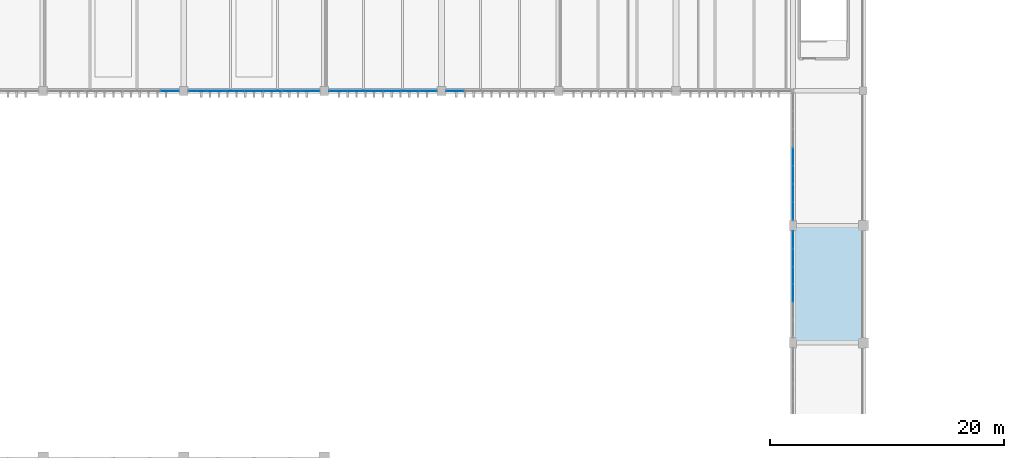
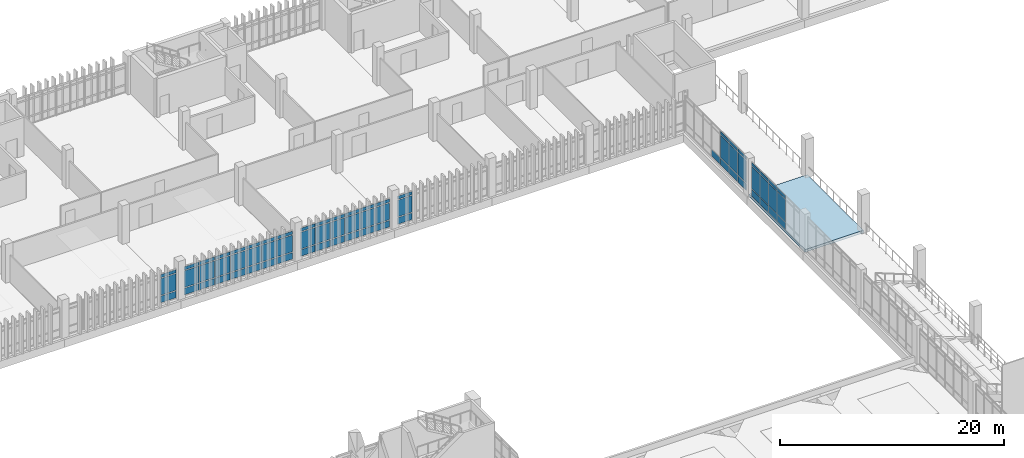
# One storey, part 132 of 161: 67 plates, 1 slab, 6 elements without a shape of their own.
"""IFC4 building model written with IfcOpenShell, lengths in metres."""

from ifc_helpers import new_model, si_unit, direction, frame, origin, origin_2d, place, context, subcontext, project, spatial, polyline, rectangle, outline, extrude, material, layer, layer_set, type_object, element, aggregate, save


model = new_model("IFC4")

# Units and contexts
model_context = context("Model", 3, precision=1e-05, world=origin(), true_north=direction((0.0, 1.0)))
body_context = subcontext(model_context, "Body", "Model", "MODEL_VIEW")
ifc_project = project(units=[si_unit("LENGTHUNIT", "METRE"), si_unit("AREAUNIT", "SQUARE_METRE"), si_unit("VOLUMEUNIT", "CUBIC_METRE"), si_unit("PLANEANGLEUNIT", "RADIAN"), si_unit("MASSUNIT", "GRAM", prefix="KILO")], contexts=[model_context])

# Site, building, storey
site_placement = place(None, origin())
site = spatial("IfcSite", under=ifc_project, at=site_placement, CompositionType="ELEMENT")
building_placement = place(site_placement, origin())
building = spatial("IfcBuilding", under=site, at=building_placement, Name="Mersad Railyard Sports Hall", CompositionType="ELEMENT")
storey_placement = place(building_placement, frame((0.0, 0.0, 4.800048828125)))
storey = spatial("IfcBuildingStorey", under=building, at=storey_placement, Name="L01", CompositionType="ELEMENT", Elevation=4.800048828125)

# Curtain wall, plates
ifc_material_1 = material(Name="Aluminium 6063-T6", Category="aluminium")
ifc_layer_1 = layer(ifc_material_1, 0.159912109375)
ifc_layer_set_1 = layer_set([ifc_layer_1], Name="Aluminium 6063-T6")
curtain_wall_type_1 = type_object("IfcCurtainWallType", Name="ARC-CW-CW14", PredefinedType="USERDEFINED", material=ifc_layer_set_1)
curtain_wall_1_placement = place(storey_placement, origin())
curtain_wall_1 = element("IfcCurtainWall", 1, at=curtain_wall_1_placement, inside=storey, type_object=curtain_wall_type_1, Name="Curtain wall CW14-0076", ObjectType="CURTAIN WALL", PredefinedType="USERDEFINED")
ifc_material_2 = material(Name="Solar-control glass", Category="glass")
ifc_layer_2 = layer(ifc_material_2, 0.028076171875)
ifc_layer_set_2 = layer_set([ifc_layer_2], Name="Solar-control glass")
plate_type = type_object("IfcPlateType", Name="ARC-CW-PNL01", PredefinedType="CURTAIN_PANEL", material=ifc_layer_set_2)
plate_1_placement = place(storey_placement, frame((131.0, 67.7451171875, 0.0849609375), z_axis=(0.0, 0.0, 1.0), x_axis=(0.0, 1.0, 0.0)))
plate_1 = element("IfcPlate", 2, at=plate_1_placement, type_object=plate_type, Name="CW14 Glazed panel 3-1", PredefinedType="CURTAIN_PANEL", context=body_context, shape_type="SweptSolid", body=[
    extrude(rectangle(XDim=1.466064453125, YDim=0.028076171875, at=origin_2d()), origin(), (0.0, 0.0, 1.0), 0.719970703125),
])
plate_2_placement = place(storey_placement, frame((131.0, 67.7451171875, 0.89501953125), z_axis=(0.0, 0.0, 1.0), x_axis=(0.0, 1.0, 0.0)))
plate_2 = element("IfcPlate", 3, at=plate_2_placement, type_object=plate_type, Name="CW14 Glazed panel 3-2", PredefinedType="CURTAIN_PANEL", context=body_context, shape_type="SweptSolid", body=[
    extrude(rectangle(XDim=1.466064453125, YDim=0.028076171875, at=origin_2d()), origin(), (0.0, 0.0, 1.0), 2.409912109375),
])
plate_3_placement = place(storey_placement, frame((131.0, 67.7451171875, 3.39501953125), z_axis=(0.0, 0.0, 1.0), x_axis=(0.0, 1.0, 0.0)))
plate_3 = element("IfcPlate", 4, at=plate_3_placement, type_object=plate_type, Name="CW14 Glazed panel 3-3", PredefinedType="CURTAIN_PANEL", context=body_context, shape_type="SweptSolid", body=[
    extrude(rectangle(XDim=1.466064453125, YDim=0.028076171875, at=origin_2d()), origin(), (0.0, 0.0, 1.0), 0.35009765625),
])
plate_4_placement = place(storey_placement, frame((131.0, 69.2548828125, 0.0849609375), z_axis=(0.0, 0.0, 1.0), x_axis=(0.0, 1.0, 0.0)))
plate_4 = element("IfcPlate", 5, at=plate_4_placement, type_object=plate_type, Name="CW14 Glazed panel 4-1", PredefinedType="CURTAIN_PANEL", context=body_context, shape_type="SweptSolid", body=[
    extrude(rectangle(XDim=1.466064453125, YDim=0.028076171875, at=origin_2d()), origin(), (0.0, 0.0, 1.0), 0.719970703125),
])
plate_5_placement = place(storey_placement, frame((131.0, 69.2548828125, 0.89501953125), z_axis=(0.0, 0.0, 1.0), x_axis=(0.0, 1.0, 0.0)))
plate_5 = element("IfcPlate", 6, at=plate_5_placement, type_object=plate_type, Name="CW14 Glazed panel 4-2", PredefinedType="CURTAIN_PANEL", context=body_context, shape_type="SweptSolid", body=[
    extrude(rectangle(XDim=1.466064453125, YDim=0.028076171875, at=origin_2d()), origin(), (0.0, 0.0, 1.0), 2.409912109375),
])
plate_6_placement = place(storey_placement, frame((131.0, 69.2548828125, 3.39501953125), z_axis=(0.0, 0.0, 1.0), x_axis=(0.0, 1.0, 0.0)))
plate_6 = element("IfcPlate", 7, at=plate_6_placement, type_object=plate_type, Name="CW14 Glazed panel 4-3", PredefinedType="CURTAIN_PANEL", context=body_context, shape_type="SweptSolid", body=[
    extrude(rectangle(XDim=1.466064453125, YDim=0.028076171875, at=origin_2d()), origin(), (0.0, 0.0, 1.0), 0.35009765625),
])
plate_7_placement = place(storey_placement, frame((131.0, 70.764892578125, 0.0849609375), z_axis=(0.0, 0.0, 1.0), x_axis=(0.0, 1.0, 0.0)))
plate_7 = element("IfcPlate", 8, at=plate_7_placement, type_object=plate_type, Name="CW14 Glazed panel 5-1", PredefinedType="CURTAIN_PANEL", context=body_context, shape_type="SweptSolid", body=[
    extrude(rectangle(XDim=1.466064453125, YDim=0.028076171875, at=origin_2d()), origin(), (0.0, 0.0, 1.0), 0.719970703125),
])
plate_8_placement = place(storey_placement, frame((131.0, 70.764892578125, 0.89501953125), z_axis=(0.0, 0.0, 1.0), x_axis=(0.0, 1.0, 0.0)))
plate_8 = element("IfcPlate", 9, at=plate_8_placement, type_object=plate_type, Name="CW14 Glazed panel 5-2", PredefinedType="CURTAIN_PANEL", context=body_context, shape_type="SweptSolid", body=[
    extrude(rectangle(XDim=1.466064453125, YDim=0.028076171875, at=origin_2d()), origin(), (0.0, 0.0, 1.0), 2.409912109375),
])
plate_9_placement = place(storey_placement, frame((131.0, 70.764892578125, 3.39501953125), z_axis=(0.0, 0.0, 1.0), x_axis=(0.0, 1.0, 0.0)))
plate_9 = element("IfcPlate", 10, at=plate_9_placement, type_object=plate_type, Name="CW14 Glazed panel 5-3", PredefinedType="CURTAIN_PANEL", context=body_context, shape_type="SweptSolid", body=[
    extrude(rectangle(XDim=1.466064453125, YDim=0.028076171875, at=origin_2d()), origin(), (0.0, 0.0, 1.0), 0.35009765625),
])
plate_10_placement = place(storey_placement, frame((131.0, 72.27490234375, 0.0849609375), z_axis=(0.0, 0.0, 1.0), x_axis=(0.0, 1.0, 0.0)))
plate_10 = element("IfcPlate", 11, at=plate_10_placement, type_object=plate_type, Name="CW14 Glazed panel 6-1", PredefinedType="CURTAIN_PANEL", context=body_context, shape_type="SweptSolid", body=[
    extrude(rectangle(XDim=1.466064453125, YDim=0.028076171875, at=origin_2d()), origin(), (0.0, 0.0, 1.0), 0.719970703125),
])
plate_11_placement = place(storey_placement, frame((131.0, 72.27490234375, 0.89501953125), z_axis=(0.0, 0.0, 1.0), x_axis=(0.0, 1.0, 0.0)))
plate_11 = element("IfcPlate", 12, at=plate_11_placement, type_object=plate_type, Name="CW14 Glazed panel 6-2", PredefinedType="CURTAIN_PANEL", context=body_context, shape_type="SweptSolid", body=[
    extrude(rectangle(XDim=1.466064453125, YDim=0.028076171875, at=origin_2d()), origin(), (0.0, 0.0, 1.0), 2.409912109375),
])
plate_12_placement = place(storey_placement, frame((131.0, 72.27490234375, 3.39501953125), z_axis=(0.0, 0.0, 1.0), x_axis=(0.0, 1.0, 0.0)))
plate_12 = element("IfcPlate", 13, at=plate_12_placement, type_object=plate_type, Name="CW14 Glazed panel 6-3", PredefinedType="CURTAIN_PANEL", context=body_context, shape_type="SweptSolid", body=[
    extrude(rectangle(XDim=1.466064453125, YDim=0.028076171875, at=origin_2d()), origin(), (0.0, 0.0, 1.0), 0.35009765625),
])
aggregate(curtain_wall_1, [plate_1, plate_2, plate_3, plate_4, plate_5, plate_6, plate_7, plate_8, plate_9, plate_10, plate_11, plate_12])

ifc_layer_3 = layer(ifc_material_1, 0.159912109375)
ifc_layer_set_3 = layer_set([ifc_layer_3], Name="Aluminium 6063-T6")
curtain_wall_type_2 = type_object("IfcCurtainWallType", Name="ARC-CW-CW27", PredefinedType="USERDEFINED", material=ifc_layer_set_3)
curtain_wall_2_placement = place(storey_placement, origin())
curtain_wall_2 = element("IfcCurtainWall", 14, at=curtain_wall_2_placement, inside=storey, type_object=curtain_wall_type_2, Name="Curtain wall CW27-0078", ObjectType="CURTAIN WALL", PredefinedType="USERDEFINED")
plate_13_placement = place(storey_placement, frame((131.0, 74.74560546875, 0.0849609375), z_axis=(0.0, 0.0, 1.0), x_axis=(0.0, 1.0, 0.0)))
plate_13 = element("IfcPlate", 15, at=plate_13_placement, type_object=plate_type, Name="CW27 Glazed panel 1-1", PredefinedType="CURTAIN_PANEL", context=body_context, shape_type="SweptSolid", body=[
    extrude(rectangle(XDim=1.50732421875, YDim=0.028076171875, at=origin_2d()), origin(), (0.0, 0.0, 1.0), 0.719970703125),
])
plate_14_placement = place(storey_placement, frame((131.0, 74.74560546875, 0.89501953125), z_axis=(0.0, 0.0, 1.0), x_axis=(0.0, 1.0, 0.0)))
plate_14 = element("IfcPlate", 16, at=plate_14_placement, type_object=plate_type, Name="CW27 Glazed panel 1-2", PredefinedType="CURTAIN_PANEL", context=body_context, shape_type="SweptSolid", body=[
    extrude(rectangle(XDim=1.50732421875, YDim=0.028076171875, at=origin_2d()), origin(), (0.0, 0.0, 1.0), 2.43994140625),
])
plate_15_placement = place(storey_placement, frame((131.0, 74.74560546875, 3.4248046875), z_axis=(0.0, 0.0, 1.0), x_axis=(0.0, 1.0, 0.0)))
plate_15 = element("IfcPlate", 17, at=plate_15_placement, type_object=plate_type, Name="CW27 Glazed panel 1-3", PredefinedType="CURTAIN_PANEL", context=body_context, shape_type="SweptSolid", body=[
    extrude(rectangle(XDim=1.50732421875, YDim=0.028076171875, at=origin_2d()), origin(), (0.0, 0.0, 1.0), 0.35009765625),
])
plate_16_placement = place(storey_placement, frame((131.0, 76.297119140625, 0.0849609375), z_axis=(0.0, 0.0, 1.0), x_axis=(0.0, 1.0, 0.0)))
plate_16 = element("IfcPlate", 18, at=plate_16_placement, type_object=plate_type, Name="CW27 Glazed panel 2-1", PredefinedType="CURTAIN_PANEL", context=body_context, shape_type="SweptSolid", body=[
    extrude(rectangle(XDim=1.50732421875, YDim=0.028076171875, at=origin_2d()), origin(), (0.0, 0.0, 1.0), 0.719970703125),
])
plate_17_placement = place(storey_placement, frame((131.0, 76.297119140625, 0.89501953125), z_axis=(0.0, 0.0, 1.0), x_axis=(0.0, 1.0, 0.0)))
plate_17 = element("IfcPlate", 19, at=plate_17_placement, type_object=plate_type, Name="CW27 Glazed panel 2-2", PredefinedType="CURTAIN_PANEL", context=body_context, shape_type="SweptSolid", body=[
    extrude(rectangle(XDim=1.50732421875, YDim=0.028076171875, at=origin_2d()), origin(), (0.0, 0.0, 1.0), 2.43994140625),
])
plate_18_placement = place(storey_placement, frame((131.0, 76.297119140625, 3.4248046875), z_axis=(0.0, 0.0, 1.0), x_axis=(0.0, 1.0, 0.0)))
plate_18 = element("IfcPlate", 20, at=plate_18_placement, type_object=plate_type, Name="CW27 Glazed panel 2-3", PredefinedType="CURTAIN_PANEL", context=body_context, shape_type="SweptSolid", body=[
    extrude(rectangle(XDim=1.50732421875, YDim=0.028076171875, at=origin_2d()), origin(), (0.0, 0.0, 1.0), 0.35009765625),
])
plate_19_placement = place(storey_placement, frame((131.0, 77.8486328125, 0.0849609375), z_axis=(0.0, 0.0, 1.0), x_axis=(0.0, 1.0, 0.0)))
plate_19 = element("IfcPlate", 21, at=plate_19_placement, type_object=plate_type, Name="CW27 Glazed panel 3-1", PredefinedType="CURTAIN_PANEL", context=body_context, shape_type="SweptSolid", body=[
    extrude(rectangle(XDim=1.50732421875, YDim=0.028076171875, at=origin_2d()), origin(), (0.0, 0.0, 1.0), 0.719970703125),
])
plate_20_placement = place(storey_placement, frame((131.0, 77.8486328125, 0.89501953125), z_axis=(0.0, 0.0, 1.0), x_axis=(0.0, 1.0, 0.0)))
plate_20 = element("IfcPlate", 22, at=plate_20_placement, type_object=plate_type, Name="CW27 Glazed panel 3-2", PredefinedType="CURTAIN_PANEL", context=body_context, shape_type="SweptSolid", body=[
    extrude(rectangle(XDim=1.50732421875, YDim=0.028076171875, at=origin_2d()), origin(), (0.0, 0.0, 1.0), 2.43994140625),
])
plate_21_placement = place(storey_placement, frame((131.0, 77.8486328125, 3.4248046875), z_axis=(0.0, 0.0, 1.0), x_axis=(0.0, 1.0, 0.0)))
plate_21 = element("IfcPlate", 23, at=plate_21_placement, type_object=plate_type, Name="CW27 Glazed panel 3-3", PredefinedType="CURTAIN_PANEL", context=body_context, shape_type="SweptSolid", body=[
    extrude(rectangle(XDim=1.50732421875, YDim=0.028076171875, at=origin_2d()), origin(), (0.0, 0.0, 1.0), 0.35009765625),
])
plate_22_placement = place(storey_placement, frame((131.0, 79.39990234375, 0.0849609375), z_axis=(0.0, 0.0, 1.0), x_axis=(0.0, 1.0, 0.0)))
plate_22 = element("IfcPlate", 24, at=plate_22_placement, type_object=plate_type, Name="CW27 Glazed panel 4-1", PredefinedType="CURTAIN_PANEL", context=body_context, shape_type="SweptSolid", body=[
    extrude(rectangle(XDim=1.50732421875, YDim=0.028076171875, at=origin_2d()), origin(), (0.0, 0.0, 1.0), 0.719970703125),
])
aggregate(curtain_wall_2, [plate_13, plate_14, plate_15, plate_16, plate_17, plate_18, plate_19, plate_20, plate_21, plate_22])

ifc_layer_4 = layer(ifc_material_1, 0.159912109375)
ifc_layer_set_4 = layer_set([ifc_layer_4], Name="Aluminium 6063-T6")
curtain_wall_type_3 = type_object("IfcCurtainWallType", Name="ARC-CW-CW37", PredefinedType="USERDEFINED", material=ifc_layer_set_4)
curtain_wall_3_placement = place(storey_placement, origin())
curtain_wall_3 = element("IfcCurtainWall", 25, at=curtain_wall_3_placement, inside=storey, type_object=curtain_wall_type_3, Name="Curtain wall CW37-0106", ObjectType="CURTAIN WALL", PredefinedType="USERDEFINED")
plate_23_placement = place(storey_placement, frame((77.80419921875, 85.0, 0.0849609375), z_axis=(0.0, 0.0, 1.0), x_axis=(-1.0, 0.0, 0.0)))
plate_23 = element("IfcPlate", 26, at=plate_23_placement, type_object=plate_type, Name="CW37 Glazed panel 1-1", PredefinedType="CURTAIN_PANEL", context=body_context, shape_type="SweptSolid", body=[
    extrude(rectangle(XDim=1.557373046875, YDim=0.028076171875, at=origin_2d()), origin(), (0.0, 0.0, 1.0), 0.719970703125),
])
plate_24_placement = place(storey_placement, frame((77.80419921875, 85.0, 0.89501953125), z_axis=(0.0, 0.0, 1.0), x_axis=(-1.0, 0.0, 0.0)))
plate_24 = element("IfcPlate", 27, at=plate_24_placement, type_object=plate_type, Name="CW37 Glazed panel 1-2", PredefinedType="CURTAIN_PANEL", context=body_context, shape_type="SweptSolid", body=[
    extrude(rectangle(XDim=1.557373046875, YDim=0.028076171875, at=origin_2d()), origin(), (0.0, 0.0, 1.0), 1.81005859375),
])
plate_25_placement = place(storey_placement, frame((77.80419921875, 85.0, 2.794921875), z_axis=(0.0, 0.0, 1.0), x_axis=(-1.0, 0.0, 0.0)))
plate_25 = element("IfcPlate", 28, at=plate_25_placement, type_object=plate_type, Name="CW37 Glazed panel 1-3", PredefinedType="CURTAIN_PANEL", context=body_context, shape_type="SweptSolid", body=[
    extrude(rectangle(XDim=1.557373046875, YDim=0.028076171875, at=origin_2d()), origin(), (0.0, 0.0, 1.0), 0.35009765625),
])
aggregate(curtain_wall_3, [plate_23, plate_24, plate_25])

curtain_wall_4_placement = place(storey_placement, origin())
curtain_wall_4 = element("IfcCurtainWall", 29, at=curtain_wall_4_placement, inside=storey, type_object=curtain_wall_type_3, Name="Curtain wall CW37-0107", ObjectType="CURTAIN WALL", PredefinedType="USERDEFINED")
plate_26_placement = place(storey_placement, frame((89.80419921875, 85.0, 0.0849609375), z_axis=(0.0, 0.0, 1.0), x_axis=(-1.0, 0.0, 0.0)))
plate_26 = element("IfcPlate", 30, at=plate_26_placement, type_object=plate_type, Name="CW37 Glazed panel 1-1", PredefinedType="CURTAIN_PANEL", context=body_context, shape_type="SweptSolid", body=[
    extrude(rectangle(XDim=1.557373046875, YDim=0.028076171875, at=origin_2d()), origin(), (0.0, 0.0, 1.0), 0.719970703125),
])
plate_27_placement = place(storey_placement, frame((89.80419921875, 85.0, 0.89501953125), z_axis=(0.0, 0.0, 1.0), x_axis=(-1.0, 0.0, 0.0)))
plate_27 = element("IfcPlate", 31, at=plate_27_placement, type_object=plate_type, Name="CW37 Glazed panel 1-2", PredefinedType="CURTAIN_PANEL", context=body_context, shape_type="SweptSolid", body=[
    extrude(rectangle(XDim=1.557373046875, YDim=0.028076171875, at=origin_2d()), origin(), (0.0, 0.0, 1.0), 1.81005859375),
])
plate_28_placement = place(storey_placement, frame((89.80419921875, 85.0, 2.794921875), z_axis=(0.0, 0.0, 1.0), x_axis=(-1.0, 0.0, 0.0)))
plate_28 = element("IfcPlate", 32, at=plate_28_placement, type_object=plate_type, Name="CW37 Glazed panel 1-3", PredefinedType="CURTAIN_PANEL", context=body_context, shape_type="SweptSolid", body=[
    extrude(rectangle(XDim=1.557373046875, YDim=0.028076171875, at=origin_2d()), origin(), (0.0, 0.0, 1.0), 0.35009765625),
])
plate_29_placement = place(storey_placement, frame((88.202880859375, 85.0, 0.0849609375), z_axis=(0.0, 0.0, 1.0), x_axis=(-1.0, 0.0, 0.0)))
plate_29 = element("IfcPlate", 33, at=plate_29_placement, type_object=plate_type, Name="CW37 Glazed panel 2-1", PredefinedType="CURTAIN_PANEL", context=body_context, shape_type="SweptSolid", body=[
    extrude(rectangle(XDim=1.557373046875, YDim=0.028076171875, at=origin_2d()), origin(), (0.0, 0.0, 1.0), 0.719970703125),
])
plate_30_placement = place(storey_placement, frame((88.202880859375, 85.0, 0.89501953125), z_axis=(0.0, 0.0, 1.0), x_axis=(-1.0, 0.0, 0.0)))
plate_30 = element("IfcPlate", 34, at=plate_30_placement, type_object=plate_type, Name="CW37 Glazed panel 2-2", PredefinedType="CURTAIN_PANEL", context=body_context, shape_type="SweptSolid", body=[
    extrude(rectangle(XDim=1.557373046875, YDim=0.028076171875, at=origin_2d()), origin(), (0.0, 0.0, 1.0), 1.81005859375),
])
plate_31_placement = place(storey_placement, frame((88.202880859375, 85.0, 2.794921875), z_axis=(0.0, 0.0, 1.0), x_axis=(-1.0, 0.0, 0.0)))
plate_31 = element("IfcPlate", 35, at=plate_31_placement, type_object=plate_type, Name="CW37 Glazed panel 2-3", PredefinedType="CURTAIN_PANEL", context=body_context, shape_type="SweptSolid", body=[
    extrude(rectangle(XDim=1.557373046875, YDim=0.028076171875, at=origin_2d()), origin(), (0.0, 0.0, 1.0), 0.35009765625),
])
plate_32_placement = place(storey_placement, frame((86.601318359375, 85.0, 0.0849609375), z_axis=(0.0, 0.0, 1.0), x_axis=(-1.0, 0.0, 0.0)))
plate_32 = element("IfcPlate", 36, at=plate_32_placement, type_object=plate_type, Name="CW37 Glazed panel 3-1", PredefinedType="CURTAIN_PANEL", context=body_context, shape_type="SweptSolid", body=[
    extrude(rectangle(XDim=1.557373046875, YDim=0.028076171875, at=origin_2d()), origin(), (0.0, 0.0, 1.0), 0.719970703125),
])
plate_33_placement = place(storey_placement, frame((86.601318359375, 85.0, 0.89501953125), z_axis=(0.0, 0.0, 1.0), x_axis=(-1.0, 0.0, 0.0)))
plate_33 = element("IfcPlate", 37, at=plate_33_placement, type_object=plate_type, Name="CW37 Glazed panel 3-2", PredefinedType="CURTAIN_PANEL", context=body_context, shape_type="SweptSolid", body=[
    extrude(rectangle(XDim=1.557373046875, YDim=0.028076171875, at=origin_2d()), origin(), (0.0, 0.0, 1.0), 1.81005859375),
])
plate_34_placement = place(storey_placement, frame((86.601318359375, 85.0, 2.794921875), z_axis=(0.0, 0.0, 1.0), x_axis=(-1.0, 0.0, 0.0)))
plate_34 = element("IfcPlate", 38, at=plate_34_placement, type_object=plate_type, Name="CW37 Glazed panel 3-3", PredefinedType="CURTAIN_PANEL", context=body_context, shape_type="SweptSolid", body=[
    extrude(rectangle(XDim=1.557373046875, YDim=0.028076171875, at=origin_2d()), origin(), (0.0, 0.0, 1.0), 0.35009765625),
])
plate_35_placement = place(storey_placement, frame((85.0, 85.0, 0.0849609375), z_axis=(0.0, 0.0, 1.0), x_axis=(-1.0, 0.0, 0.0)))
plate_35 = element("IfcPlate", 39, at=plate_35_placement, type_object=plate_type, Name="CW37 Glazed panel 4-1", PredefinedType="CURTAIN_PANEL", context=body_context, shape_type="SweptSolid", body=[
    extrude(rectangle(XDim=1.557373046875, YDim=0.028076171875, at=origin_2d()), origin(), (0.0, 0.0, 1.0), 0.719970703125),
])
plate_36_placement = place(storey_placement, frame((85.0, 85.0, 0.89501953125), z_axis=(0.0, 0.0, 1.0), x_axis=(-1.0, 0.0, 0.0)))
plate_36 = element("IfcPlate", 40, at=plate_36_placement, type_object=plate_type, Name="CW37 Glazed panel 4-2", PredefinedType="CURTAIN_PANEL", context=body_context, shape_type="SweptSolid", body=[
    extrude(rectangle(XDim=1.557373046875, YDim=0.028076171875, at=origin_2d()), origin(), (0.0, 0.0, 1.0), 1.81005859375),
])
plate_37_placement = place(storey_placement, frame((85.0, 85.0, 2.794921875), z_axis=(0.0, 0.0, 1.0), x_axis=(-1.0, 0.0, 0.0)))
plate_37 = element("IfcPlate", 41, at=plate_37_placement, type_object=plate_type, Name="CW37 Glazed panel 4-3", PredefinedType="CURTAIN_PANEL", context=body_context, shape_type="SweptSolid", body=[
    extrude(rectangle(XDim=1.557373046875, YDim=0.028076171875, at=origin_2d()), origin(), (0.0, 0.0, 1.0), 0.35009765625),
])
plate_38_placement = place(storey_placement, frame((83.398681640625, 85.0, 0.0849609375), z_axis=(0.0, 0.0, 1.0), x_axis=(-1.0, 0.0, 0.0)))
plate_38 = element("IfcPlate", 42, at=plate_38_placement, type_object=plate_type, Name="CW37 Glazed panel 5-1", PredefinedType="CURTAIN_PANEL", context=body_context, shape_type="SweptSolid", body=[
    extrude(rectangle(XDim=1.557373046875, YDim=0.028076171875, at=origin_2d()), origin(), (0.0, 0.0, 1.0), 0.719970703125),
])
plate_39_placement = place(storey_placement, frame((83.398681640625, 85.0, 0.89501953125), z_axis=(0.0, 0.0, 1.0), x_axis=(-1.0, 0.0, 0.0)))
plate_39 = element("IfcPlate", 43, at=plate_39_placement, type_object=plate_type, Name="CW37 Glazed panel 5-2", PredefinedType="CURTAIN_PANEL", context=body_context, shape_type="SweptSolid", body=[
    extrude(rectangle(XDim=1.557373046875, YDim=0.028076171875, at=origin_2d()), origin(), (0.0, 0.0, 1.0), 1.81005859375),
])
plate_40_placement = place(storey_placement, frame((83.398681640625, 85.0, 2.794921875), z_axis=(0.0, 0.0, 1.0), x_axis=(-1.0, 0.0, 0.0)))
plate_40 = element("IfcPlate", 44, at=plate_40_placement, type_object=plate_type, Name="CW37 Glazed panel 5-3", PredefinedType="CURTAIN_PANEL", context=body_context, shape_type="SweptSolid", body=[
    extrude(rectangle(XDim=1.557373046875, YDim=0.028076171875, at=origin_2d()), origin(), (0.0, 0.0, 1.0), 0.35009765625),
])
plate_41_placement = place(storey_placement, frame((81.797119140625, 85.0, 0.0849609375), z_axis=(0.0, 0.0, 1.0), x_axis=(-1.0, 0.0, 0.0)))
plate_41 = element("IfcPlate", 45, at=plate_41_placement, type_object=plate_type, Name="CW37 Glazed panel 6-1", PredefinedType="CURTAIN_PANEL", context=body_context, shape_type="SweptSolid", body=[
    extrude(rectangle(XDim=1.557373046875, YDim=0.028076171875, at=origin_2d()), origin(), (0.0, 0.0, 1.0), 0.719970703125),
])
plate_42_placement = place(storey_placement, frame((81.797119140625, 85.0, 0.89501953125), z_axis=(0.0, 0.0, 1.0), x_axis=(-1.0, 0.0, 0.0)))
plate_42 = element("IfcPlate", 46, at=plate_42_placement, type_object=plate_type, Name="CW37 Glazed panel 6-2", PredefinedType="CURTAIN_PANEL", context=body_context, shape_type="SweptSolid", body=[
    extrude(rectangle(XDim=1.557373046875, YDim=0.028076171875, at=origin_2d()), origin(), (0.0, 0.0, 1.0), 1.81005859375),
])
plate_43_placement = place(storey_placement, frame((81.797119140625, 85.0, 2.794921875), z_axis=(0.0, 0.0, 1.0), x_axis=(-1.0, 0.0, 0.0)))
plate_43 = element("IfcPlate", 47, at=plate_43_placement, type_object=plate_type, Name="CW37 Glazed panel 6-3", PredefinedType="CURTAIN_PANEL", context=body_context, shape_type="SweptSolid", body=[
    extrude(rectangle(XDim=1.557373046875, YDim=0.028076171875, at=origin_2d()), origin(), (0.0, 0.0, 1.0), 0.35009765625),
])
plate_44_placement = place(storey_placement, frame((80.19580078125, 85.0, 0.0849609375), z_axis=(0.0, 0.0, 1.0), x_axis=(-1.0, 0.0, 0.0)))
plate_44 = element("IfcPlate", 48, at=plate_44_placement, type_object=plate_type, Name="CW37 Glazed panel 7-1", PredefinedType="CURTAIN_PANEL", context=body_context, shape_type="SweptSolid", body=[
    extrude(rectangle(XDim=1.557373046875, YDim=0.028076171875, at=origin_2d()), origin(), (0.0, 0.0, 1.0), 0.719970703125),
])
plate_45_placement = place(storey_placement, frame((80.19580078125, 85.0, 0.89501953125), z_axis=(0.0, 0.0, 1.0), x_axis=(-1.0, 0.0, 0.0)))
plate_45 = element("IfcPlate", 49, at=plate_45_placement, type_object=plate_type, Name="CW37 Glazed panel 7-2", PredefinedType="CURTAIN_PANEL", context=body_context, shape_type="SweptSolid", body=[
    extrude(rectangle(XDim=1.557373046875, YDim=0.028076171875, at=origin_2d()), origin(), (0.0, 0.0, 1.0), 1.81005859375),
])
plate_46_placement = place(storey_placement, frame((80.19580078125, 85.0, 2.794921875), z_axis=(0.0, 0.0, 1.0), x_axis=(-1.0, 0.0, 0.0)))
plate_46 = element("IfcPlate", 50, at=plate_46_placement, type_object=plate_type, Name="CW37 Glazed panel 7-3", PredefinedType="CURTAIN_PANEL", context=body_context, shape_type="SweptSolid", body=[
    extrude(rectangle(XDim=1.557373046875, YDim=0.028076171875, at=origin_2d()), origin(), (0.0, 0.0, 1.0), 0.35009765625),
])
aggregate(curtain_wall_4, [plate_26, plate_27, plate_28, plate_29, plate_30, plate_31, plate_32, plate_33, plate_34, plate_35, plate_36, plate_37, plate_38, plate_39, plate_40, plate_41, plate_42, plate_43, plate_44, plate_45, plate_46])

ifc_layer_5 = layer(ifc_material_1, 0.159912109375)
ifc_layer_set_5 = layer_set([ifc_layer_5], Name="Aluminium 6063-T6")
curtain_wall_type_4 = type_object("IfcCurtainWallType", Name="ARC-CW-CW38", PredefinedType="USERDEFINED", material=ifc_layer_set_5)
curtain_wall_5_placement = place(storey_placement, origin())
curtain_wall_5 = element("IfcCurtainWall", 51, at=curtain_wall_5_placement, inside=storey, type_object=curtain_wall_type_4, Name="Curtain wall CW38-0108", ObjectType="CURTAIN WALL", PredefinedType="USERDEFINED")
plate_47_placement = place(storey_placement, frame((99.83740234375, 85.0, 0.0849609375), z_axis=(0.0, 0.0, 1.0), x_axis=(-1.0, 0.0, 0.0)))
plate_47 = element("IfcPlate", 52, at=plate_47_placement, type_object=plate_type, Name="CW38 Glazed panel 1-1", PredefinedType="CURTAIN_PANEL", context=body_context, shape_type="SweptSolid", body=[
    extrude(rectangle(XDim=1.490966796875, YDim=0.028076171875, at=origin_2d()), origin(), (0.0, 0.0, 1.0), 0.719970703125),
])
plate_48_placement = place(storey_placement, frame((99.83740234375, 85.0, 0.89501953125), z_axis=(0.0, 0.0, 1.0), x_axis=(-1.0, 0.0, 0.0)))
plate_48 = element("IfcPlate", 53, at=plate_48_placement, type_object=plate_type, Name="CW38 Glazed panel 1-2", PredefinedType="CURTAIN_PANEL", context=body_context, shape_type="SweptSolid", body=[
    extrude(rectangle(XDim=1.490966796875, YDim=0.028076171875, at=origin_2d()), origin(), (0.0, 0.0, 1.0), 1.81005859375),
])
plate_49_placement = place(storey_placement, frame((99.83740234375, 85.0, 2.794921875), z_axis=(0.0, 0.0, 1.0), x_axis=(-1.0, 0.0, 0.0)))
plate_49 = element("IfcPlate", 54, at=plate_49_placement, type_object=plate_type, Name="CW38 Glazed panel 1-3", PredefinedType="CURTAIN_PANEL", context=body_context, shape_type="SweptSolid", body=[
    extrude(rectangle(XDim=1.490966796875, YDim=0.028076171875, at=origin_2d()), origin(), (0.0, 0.0, 1.0), 0.35009765625),
])
plate_50_placement = place(storey_placement, frame((98.302490234375, 85.0, 0.0849609375), z_axis=(0.0, 0.0, 1.0), x_axis=(-1.0, 0.0, 0.0)))
plate_50 = element("IfcPlate", 55, at=plate_50_placement, type_object=plate_type, Name="CW38 Glazed panel 2-1", PredefinedType="CURTAIN_PANEL", context=body_context, shape_type="SweptSolid", body=[
    extrude(rectangle(XDim=1.490966796875, YDim=0.028076171875, at=origin_2d()), origin(), (0.0, 0.0, 1.0), 0.719970703125),
])
plate_51_placement = place(storey_placement, frame((98.302490234375, 85.0, 0.89501953125), z_axis=(0.0, 0.0, 1.0), x_axis=(-1.0, 0.0, 0.0)))
plate_51 = element("IfcPlate", 56, at=plate_51_placement, type_object=plate_type, Name="CW38 Glazed panel 2-2", PredefinedType="CURTAIN_PANEL", context=body_context, shape_type="SweptSolid", body=[
    extrude(rectangle(XDim=1.490966796875, YDim=0.028076171875, at=origin_2d()), origin(), (0.0, 0.0, 1.0), 1.81005859375),
])
plate_52_placement = place(storey_placement, frame((98.302490234375, 85.0, 2.794921875), z_axis=(0.0, 0.0, 1.0), x_axis=(-1.0, 0.0, 0.0)))
plate_52 = element("IfcPlate", 57, at=plate_52_placement, type_object=plate_type, Name="CW38 Glazed panel 2-3", PredefinedType="CURTAIN_PANEL", context=body_context, shape_type="SweptSolid", body=[
    extrude(rectangle(XDim=1.490966796875, YDim=0.028076171875, at=origin_2d()), origin(), (0.0, 0.0, 1.0), 0.35009765625),
])
plate_53_placement = place(storey_placement, frame((96.767578125, 85.0, 0.0849609375), z_axis=(0.0, 0.0, 1.0), x_axis=(-1.0, 0.0, 0.0)))
plate_53 = element("IfcPlate", 58, at=plate_53_placement, type_object=plate_type, Name="CW38 Glazed panel 3-1", PredefinedType="CURTAIN_PANEL", context=body_context, shape_type="SweptSolid", body=[
    extrude(rectangle(XDim=1.490966796875, YDim=0.028076171875, at=origin_2d()), origin(), (0.0, 0.0, 1.0), 0.719970703125),
])
plate_54_placement = place(storey_placement, frame((96.767578125, 85.0, 0.89501953125), z_axis=(0.0, 0.0, 1.0), x_axis=(-1.0, 0.0, 0.0)))
plate_54 = element("IfcPlate", 59, at=plate_54_placement, type_object=plate_type, Name="CW38 Glazed panel 3-2", PredefinedType="CURTAIN_PANEL", context=body_context, shape_type="SweptSolid", body=[
    extrude(rectangle(XDim=1.490966796875, YDim=0.028076171875, at=origin_2d()), origin(), (0.0, 0.0, 1.0), 1.81005859375),
])
plate_55_placement = place(storey_placement, frame((96.767578125, 85.0, 2.794921875), z_axis=(0.0, 0.0, 1.0), x_axis=(-1.0, 0.0, 0.0)))
plate_55 = element("IfcPlate", 60, at=plate_55_placement, type_object=plate_type, Name="CW38 Glazed panel 3-3", PredefinedType="CURTAIN_PANEL", context=body_context, shape_type="SweptSolid", body=[
    extrude(rectangle(XDim=1.490966796875, YDim=0.028076171875, at=origin_2d()), origin(), (0.0, 0.0, 1.0), 0.35009765625),
])
plate_56_placement = place(storey_placement, frame((95.232421875, 85.0, 0.0849609375), z_axis=(0.0, 0.0, 1.0), x_axis=(-1.0, 0.0, 0.0)))
plate_56 = element("IfcPlate", 61, at=plate_56_placement, type_object=plate_type, Name="CW38 Glazed panel 4-1", PredefinedType="CURTAIN_PANEL", context=body_context, shape_type="SweptSolid", body=[
    extrude(rectangle(XDim=1.490966796875, YDim=0.028076171875, at=origin_2d()), origin(), (0.0, 0.0, 1.0), 0.719970703125),
])
plate_57_placement = place(storey_placement, frame((95.232421875, 85.0, 0.89501953125), z_axis=(0.0, 0.0, 1.0), x_axis=(-1.0, 0.0, 0.0)))
plate_57 = element("IfcPlate", 62, at=plate_57_placement, type_object=plate_type, Name="CW38 Glazed panel 4-2", PredefinedType="CURTAIN_PANEL", context=body_context, shape_type="SweptSolid", body=[
    extrude(rectangle(XDim=1.490966796875, YDim=0.028076171875, at=origin_2d()), origin(), (0.0, 0.0, 1.0), 1.81005859375),
])
plate_58_placement = place(storey_placement, frame((95.232421875, 85.0, 2.794921875), z_axis=(0.0, 0.0, 1.0), x_axis=(-1.0, 0.0, 0.0)))
plate_58 = element("IfcPlate", 63, at=plate_58_placement, type_object=plate_type, Name="CW38 Glazed panel 4-3", PredefinedType="CURTAIN_PANEL", context=body_context, shape_type="SweptSolid", body=[
    extrude(rectangle(XDim=1.490966796875, YDim=0.028076171875, at=origin_2d()), origin(), (0.0, 0.0, 1.0), 0.35009765625),
])
plate_59_placement = place(storey_placement, frame((93.697509765625, 85.0, 0.0849609375), z_axis=(0.0, 0.0, 1.0), x_axis=(-1.0, 0.0, 0.0)))
plate_59 = element("IfcPlate", 64, at=plate_59_placement, type_object=plate_type, Name="CW38 Glazed panel 5-1", PredefinedType="CURTAIN_PANEL", context=body_context, shape_type="SweptSolid", body=[
    extrude(rectangle(XDim=1.490966796875, YDim=0.028076171875, at=origin_2d()), origin(), (0.0, 0.0, 1.0), 0.719970703125),
])
plate_60_placement = place(storey_placement, frame((93.697509765625, 85.0, 0.89501953125), z_axis=(0.0, 0.0, 1.0), x_axis=(-1.0, 0.0, 0.0)))
plate_60 = element("IfcPlate", 65, at=plate_60_placement, type_object=plate_type, Name="CW38 Glazed panel 5-2", PredefinedType="CURTAIN_PANEL", context=body_context, shape_type="SweptSolid", body=[
    extrude(rectangle(XDim=1.490966796875, YDim=0.028076171875, at=origin_2d()), origin(), (0.0, 0.0, 1.0), 1.81005859375),
])
plate_61_placement = place(storey_placement, frame((93.697509765625, 85.0, 2.794921875), z_axis=(0.0, 0.0, 1.0), x_axis=(-1.0, 0.0, 0.0)))
plate_61 = element("IfcPlate", 66, at=plate_61_placement, type_object=plate_type, Name="CW38 Glazed panel 5-3", PredefinedType="CURTAIN_PANEL", context=body_context, shape_type="SweptSolid", body=[
    extrude(rectangle(XDim=1.490966796875, YDim=0.028076171875, at=origin_2d()), origin(), (0.0, 0.0, 1.0), 0.35009765625),
])
plate_62_placement = place(storey_placement, frame((92.16259765625, 85.0, 0.0849609375), z_axis=(0.0, 0.0, 1.0), x_axis=(-1.0, 0.0, 0.0)))
plate_62 = element("IfcPlate", 67, at=plate_62_placement, type_object=plate_type, Name="CW38 Glazed panel 6-1", PredefinedType="CURTAIN_PANEL", context=body_context, shape_type="SweptSolid", body=[
    extrude(rectangle(XDim=1.490966796875, YDim=0.028076171875, at=origin_2d()), origin(), (0.0, 0.0, 1.0), 0.719970703125),
])
plate_63_placement = place(storey_placement, frame((92.16259765625, 85.0, 0.89501953125), z_axis=(0.0, 0.0, 1.0), x_axis=(-1.0, 0.0, 0.0)))
plate_63 = element("IfcPlate", 68, at=plate_63_placement, type_object=plate_type, Name="CW38 Glazed panel 6-2", PredefinedType="CURTAIN_PANEL", context=body_context, shape_type="SweptSolid", body=[
    extrude(rectangle(XDim=1.490966796875, YDim=0.028076171875, at=origin_2d()), origin(), (0.0, 0.0, 1.0), 1.81005859375),
])
plate_64_placement = place(storey_placement, frame((92.16259765625, 85.0, 2.794921875), z_axis=(0.0, 0.0, 1.0), x_axis=(-1.0, 0.0, 0.0)))
plate_64 = element("IfcPlate", 69, at=plate_64_placement, type_object=plate_type, Name="CW38 Glazed panel 6-3", PredefinedType="CURTAIN_PANEL", context=body_context, shape_type="SweptSolid", body=[
    extrude(rectangle(XDim=1.490966796875, YDim=0.028076171875, at=origin_2d()), origin(), (0.0, 0.0, 1.0), 0.35009765625),
])
aggregate(curtain_wall_5, [plate_47, plate_48, plate_49, plate_50, plate_51, plate_52, plate_53, plate_54, plate_55, plate_56, plate_57, plate_58, plate_59, plate_60, plate_61, plate_62, plate_63, plate_64])

curtain_wall_6_placement = place(storey_placement, origin())
curtain_wall_6 = element("IfcCurtainWall", 70, at=curtain_wall_6_placement, inside=storey, type_object=curtain_wall_type_4, Name="Curtain wall CW38-0109", ObjectType="CURTAIN WALL", PredefinedType="USERDEFINED")
plate_65_placement = place(storey_placement, frame((102.16259765625, 85.0, 0.0849609375), z_axis=(0.0, 0.0, 1.0), x_axis=(-1.0, 0.0, 0.0)))
plate_65 = element("IfcPlate", 71, at=plate_65_placement, type_object=plate_type, Name="CW38 Glazed panel 6-1", PredefinedType="CURTAIN_PANEL", context=body_context, shape_type="SweptSolid", body=[
    extrude(rectangle(XDim=1.490966796875, YDim=0.028076171875, at=origin_2d()), origin(), (0.0, 0.0, 1.0), 0.719970703125),
])
plate_66_placement = place(storey_placement, frame((102.16259765625, 85.0, 0.89501953125), z_axis=(0.0, 0.0, 1.0), x_axis=(-1.0, 0.0, 0.0)))
plate_66 = element("IfcPlate", 72, at=plate_66_placement, type_object=plate_type, Name="CW38 Glazed panel 6-2", PredefinedType="CURTAIN_PANEL", context=body_context, shape_type="SweptSolid", body=[
    extrude(rectangle(XDim=1.490966796875, YDim=0.028076171875, at=origin_2d()), origin(), (0.0, 0.0, 1.0), 1.81005859375),
])
plate_67_placement = place(storey_placement, frame((102.16259765625, 85.0, 2.794921875), z_axis=(0.0, 0.0, 1.0), x_axis=(-1.0, 0.0, 0.0)))
plate_67 = element("IfcPlate", 73, at=plate_67_placement, type_object=plate_type, Name="CW38 Glazed panel 6-3", PredefinedType="CURTAIN_PANEL", context=body_context, shape_type="SweptSolid", body=[
    extrude(rectangle(XDim=1.490966796875, YDim=0.028076171875, at=origin_2d()), origin(), (0.0, 0.0, 1.0), 0.35009765625),
])
aggregate(curtain_wall_6, [plate_65, plate_66, plate_67])

# Slab
ifc_material_3 = material(Name="Concrete C40/50", Category="concrete")
ifc_layer_6 = layer(ifc_material_3, 0.280029296875)
ifc_layer_set_6 = layer_set([ifc_layer_6], Name="Concrete C40/50")
slab_type = type_object("IfcSlabType", Name="STR-SL-FL02", PredefinedType="FLOOR", material=ifc_layer_set_6)
slab_placement = place(storey_placement, frame((0.0, 0.0, -0.280029296875)))
element("IfcSlab", 74, at=slab_placement, inside=storey, type_object=slab_type, Name="Slab SL02-0067", PredefinedType="FLOOR", context=body_context, shape_type="SweptSolid", body=[
    extrude(outline(polyline([(131.0, 63.5), (137.0, 63.5), (137.0, 73.5), (131.0, 73.5), (131.0, 63.5)])), origin(), (0.0, 0.0, 1.0), 0.280029296875),
])

save(model, "model.ifc")
